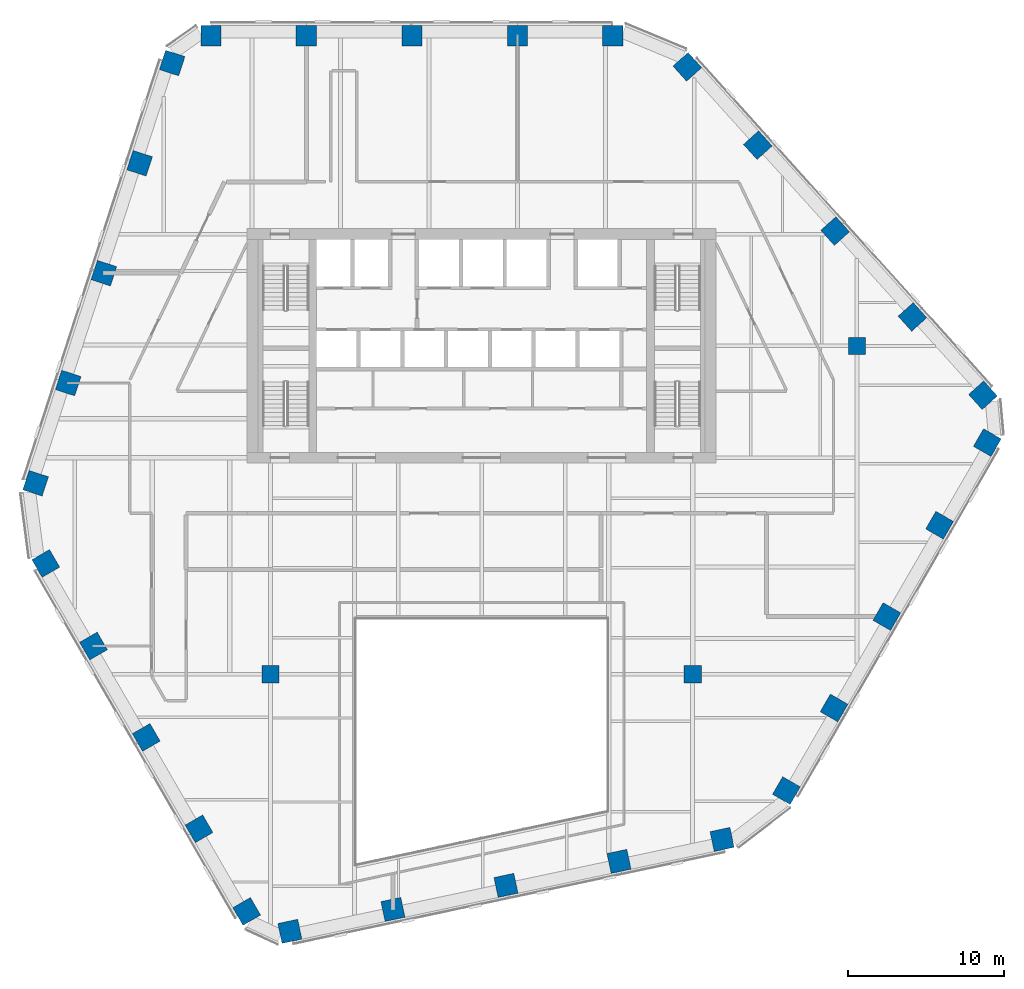
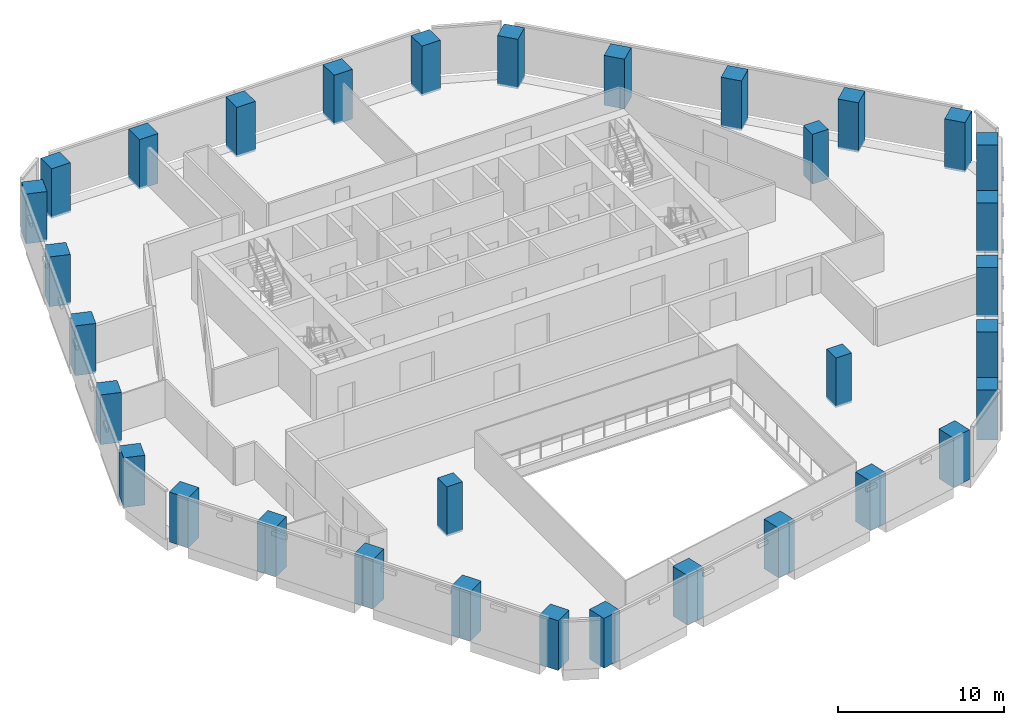
# One storey, part 1 of 17: 33 columns.
"""IFC4 building model written with IfcOpenShell, lengths in metres."""

from ifc_helpers import new_model, si_unit, direction, frame, origin, origin_2d, place, context, subcontext, project, spatial, rectangle, extrude, material, material_profile, profile_set, type_object, element, save


model = new_model("IFC4")

# Units and contexts
model_context = context("Model", 3, precision=1e-05, world=origin(), true_north=direction((0.0, 1.0)))
body_context = subcontext(model_context, "Body", "Model", "MODEL_VIEW")
ifc_project = project(units=[si_unit("LENGTHUNIT", "METRE"), si_unit("AREAUNIT", "SQUARE_METRE"), si_unit("VOLUMEUNIT", "CUBIC_METRE"), si_unit("PLANEANGLEUNIT", "RADIAN"), si_unit("MASSUNIT", "GRAM", prefix="KILO")], contexts=[model_context])

# Site, building, storey
site_placement = place(None, origin())
site = spatial("IfcSite", under=ifc_project, at=site_placement, CompositionType="ELEMENT")
building_placement = place(site_placement, origin())
building = spatial("IfcBuilding", under=site, at=building_placement, Name="Isthmus Gate Tower", CompositionType="ELEMENT")
storey_placement = place(building_placement, frame((0.0, 0.0, 200.0)))
storey = spatial("IfcBuildingStorey", under=building, at=storey_placement, Name="L50", CompositionType="ELEMENT", Elevation=200.0)

# Columns
ifc_material_1 = material(Name="Concrete f'c 60 MPa", Category="concrete")
ifc_material_profile_1 = material_profile(ifc_material_1, rectangle(XDim=1.10009765625, YDim=1.10009765625, at=origin_2d()), Name="RC 1100X1100")
ifc_profile_set_1 = profile_set([ifc_material_profile_1], Name="Concrete f'c 60 MPa")
column_type_1 = type_object("IfcColumnType", Name="RC INTERIOR COLUMN 1100 X 1100", PredefinedType="COLUMN", material=ifc_profile_set_1)
for number, where, z_axis, x_axis, name in (
    (1, (-13.5, -13.5, -0.14990234375), (0.0, 0.0, 1.0), (1.0, 0.0, 0.0), "str-icol-L50-ICB2"),
    (2, (13.5, -13.5, -0.14990234375), (0.0, 0.0, 1.0), (1.0, 0.0, 0.0), "str-icol-L50-ICD2"),
    (3, (24.0, 7.5, -0.14990234375), (0.0, 0.0, 1.0), (1.0, 0.0, 0.0), "str-icol-L50-ICE3"),
):
    element("IfcColumn", number, at=place(storey_placement, frame(where, z_axis=z_axis, x_axis=x_axis)), inside=storey, type_object=column_type_1, Name=name, PredefinedType="COLUMN", context=body_context, shape_type="SweptSolid", body=[
        extrude(rectangle(XDim=1.10009765625, YDim=1.10009765625, at=origin_2d()), origin(), (0.0, 0.0, 1.0), 3.64990234375),
    ])
ifc_material_2 = material(Name="Concrete f'c 60 MPa", Category="concrete")
ifc_material_profile_2 = material_profile(ifc_material_2, rectangle(XDim=1.300048828125, YDim=1.300048828125, at=origin_2d()), Name="RC 1300X1300")
ifc_profile_set_2 = profile_set([ifc_material_profile_2], Name="Concrete f'c 60 MPa")
column_type_2 = type_object("IfcColumnType", Name="RC TUBE COLUMN 1300 X 1300", PredefinedType="COLUMN", material=ifc_profile_set_2)
for number, where, z_axis, x_axis, name in (
    (4, (8.388671875, 27.35009765625, -0.14990234375), (0.0, 0.0, 1.0), (-1.0, 0.0, 0.0), "str-tcol-L50-T2N0"),
    (5, (2.288330078125, 27.35009765625, -0.14990234375), (0.0, 0.0, 1.0), (-1.0, 0.0, 0.0), "str-tcol-L50-T2N1"),
    (6, (-4.461669921875, 27.35009765625, -0.14990234375), (0.0, 0.0, 1.0), (-1.0, 0.0, 0.0), "str-tcol-L50-T2N2"),
    (7, (-11.2119140625, 27.35009765625, -0.14990234375), (0.0, 0.0, 1.0), (-1.0, 0.0, 0.0), "str-tcol-L50-T2N3"),
    (8, (-17.31201171875, 27.35009765625, -0.14990234375), (0.0, 0.0, 1.0), (-1.0, 0.0, 0.0), "str-tcol-L50-T2N4"),
    (9, (-19.797607421875, 25.595947265625, -0.14990234375), (0.0, 0.0, 1.0), (-0.309016994375, -0.951056516295, 0.0), "str-tcol-L50-T2NW0"),
    (10, (-21.880615234375, 19.18505859375, -0.14990234375), (0.0, 0.0, 1.0), (-0.309016994375, -0.951056516295, 0.0), "str-tcol-L50-T2NW1"),
    (11, (-24.164306640625, 12.156005859375, -0.14990234375), (0.0, 0.0, 1.0), (-0.309016994375, -0.951056516295, 0.0), "str-tcol-L50-T2NW2"),
    (12, (-26.4482421875, 5.126953125, -0.14990234375), (0.0, 0.0, 1.0), (-0.309016994375, -0.951056516295, 0.0), "str-tcol-L50-T2NW3"),
    (13, (-28.53125, -1.283935546875, -0.14990234375), (0.0, 0.0, 1.0), (-0.309016994375, -0.951056516295, 0.0), "str-tcol-L50-T2NW4"),
    (14, (-27.880126953125, -6.410400390625, -0.14990234375), (0.0, 0.0, 1.0), (0.5, -0.866025403784, 0.0), "str-tcol-L50-T2SW0"),
    (15, (-24.830078125, -11.693115234375, -0.14990234375), (0.0, 0.0, 1.0), (0.5, -0.866025403784, 0.0), "str-tcol-L50-T2SW1"),
    (16, (-21.454833984375, -17.5390625, -0.14990234375), (0.0, 0.0, 1.0), (0.5, -0.866025403784, 0.0), "str-tcol-L50-T2SW2"),
    (17, (-18.079833984375, -23.384765625, -0.14990234375), (0.0, 0.0, 1.0), (0.5, -0.866025403784, 0.0), "str-tcol-L50-T2SW3"),
    (18, (-15.02978515625, -28.667724609375, -0.14990234375), (0.0, 0.0, 1.0), (0.5, -0.866025403784, 0.0), "str-tcol-L50-T2SW4"),
    (19, (-12.267822265625, -29.943115234375, -0.14990234375), (0.0, 0.0, 1.0), (0.978147600734, 0.207911690818, 0.0), "str-tcol-L50-T2S0"),
    (20, (-5.674560546875, -28.54150390625, -0.14990234375), (0.0, 0.0, 1.0), (0.978147600734, 0.207911690818, 0.0), "str-tcol-L50-T2S1"),
    (21, (1.554931640625, -27.0048828125, -0.14990234375), (0.0, 0.0, 1.0), (0.978147600734, 0.207911690818, 0.0), "str-tcol-L50-T2S2"),
    (22, (8.7841796875, -25.46826171875, -0.14990234375), (0.0, 0.0, 1.0), (0.978147600734, 0.207911690818, 0.0), "str-tcol-L50-T2S3"),
    (23, (15.377685546875, -24.06689453125, -0.14990234375), (0.0, 0.0, 1.0), (0.978147600734, 0.207911690818, 0.0), "str-tcol-L50-T2S4"),
    (24, (19.491455078125, -20.939697265625, -0.14990234375), (0.0, 0.0, 1.0), (0.5, 0.866025403784, 0.0), "str-tcol-L50-T2SE0"),
    (25, (22.54150390625, -15.65673828125, -0.14990234375), (0.0, 0.0, 1.0), (0.5, 0.866025403784, 0.0), "str-tcol-L50-T2SE1"),
    (26, (25.916748046875, -9.81103515625, -0.14990234375), (0.0, 0.0, 1.0), (0.5, 0.866025403784, 0.0), "str-tcol-L50-T2SE2"),
    (27, (29.291748046875, -3.96533203125, -0.14990234375), (0.0, 0.0, 1.0), (0.5, 0.866025403784, 0.0), "str-tcol-L50-T2SE3"),
    (28, (32.341796875, 1.317626953125, -0.14990234375), (0.0, 0.0, 1.0), (0.5, 0.866025403784, 0.0), "str-tcol-L50-T2SE4"),
    (29, (32.0654296875, 4.34716796875, -0.14990234375), (0.0, 0.0, 1.0), (-0.669130606359, 0.743144825477, 0.0), "str-tcol-L50-T2NE0"),
    (30, (27.554931640625, 9.356689453125, -0.14990234375), (0.0, 0.0, 1.0), (-0.669130606359, 0.743144825477, 0.0), "str-tcol-L50-T2NE1"),
    (31, (22.609619140625, 14.84912109375, -0.14990234375), (0.0, 0.0, 1.0), (-0.669130606359, 0.743144825477, 0.0), "str-tcol-L50-T2NE2"),
    (32, (17.6640625, 20.341552734375, -0.14990234375), (0.0, 0.0, 1.0), (-0.669130606359, 0.743144825477, 0.0), "str-tcol-L50-T2NE3"),
    (33, (13.15380859375, 25.350830078125, -0.14990234375), (0.0, 0.0, 1.0), (-0.669130606359, 0.743144825477, 0.0), "str-tcol-L50-T2NE4"),
):
    element("IfcColumn", number, at=place(storey_placement, frame(where, z_axis=z_axis, x_axis=x_axis)), inside=storey, type_object=column_type_2, Name=name, PredefinedType="COLUMN", context=body_context, shape_type="SweptSolid", body=[
        extrude(rectangle(XDim=1.300048828125, YDim=1.300048828125, at=origin_2d()), origin(), (0.0, 0.0, 1.0), 3.64990234375),
    ])

save(model, "model.ifc")
